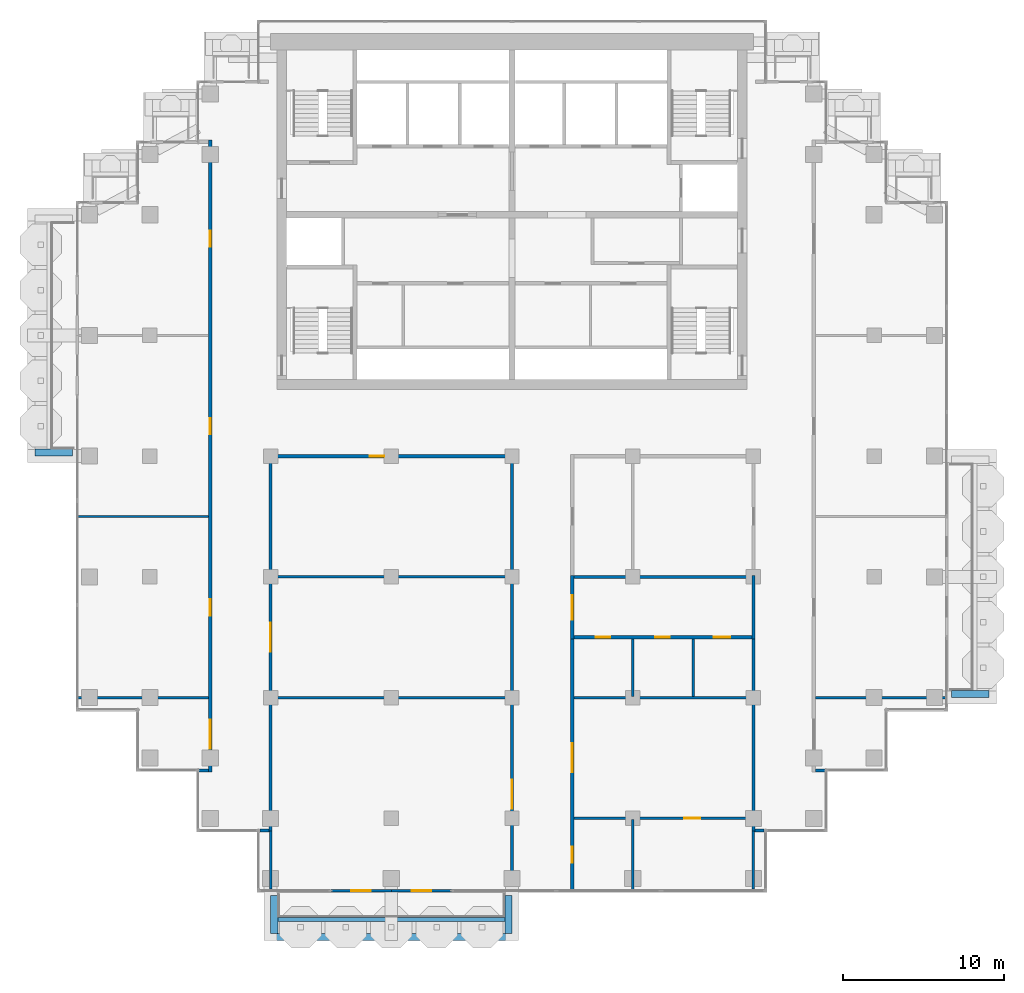
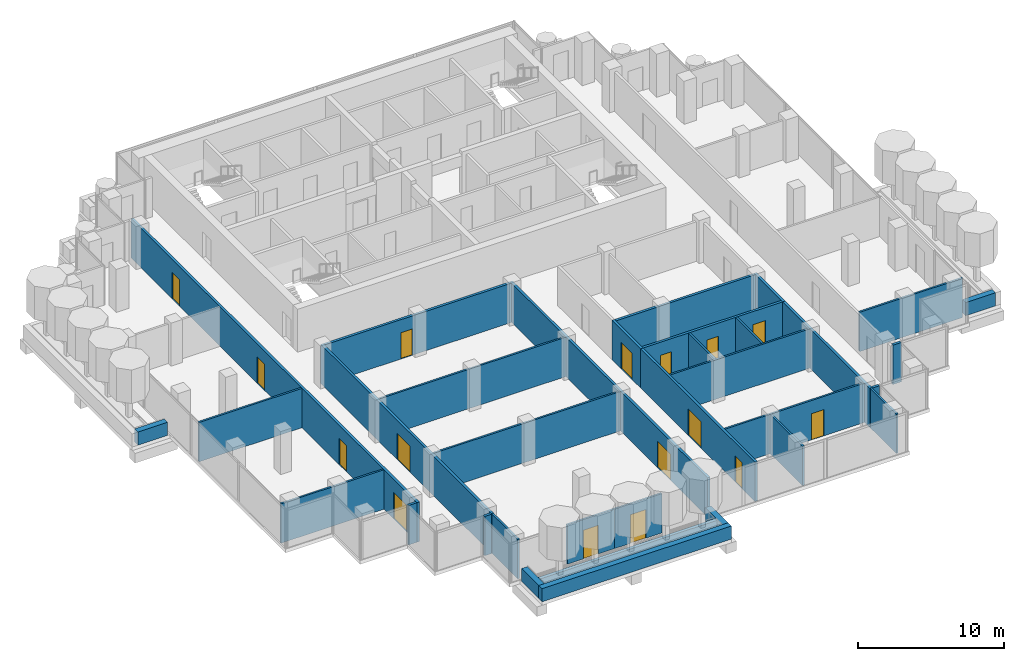
# One storey, part 11 of 18: 34 walls, 16 doors, 16 openings.
"""IFC4 building model written with IfcOpenShell, lengths in metres."""

from ifc_helpers import new_model, si_unit, direction, frame, frame_2d, origin, place, context, subcontext, project, spatial, rectangle, extrude, material, layer, layer_set, type_object, element, fill, save


model = new_model("IFC4")

# Units and contexts
model_context = context("Model", 3, precision=1e-05, world=origin(), true_north=direction((0.0, 1.0)))
body_context = subcontext(model_context, "Body", "Model", "MODEL_VIEW")
ifc_project = project(units=[si_unit("LENGTHUNIT", "METRE"), si_unit("AREAUNIT", "SQUARE_METRE"), si_unit("VOLUMEUNIT", "CUBIC_METRE"), si_unit("PLANEANGLEUNIT", "RADIAN"), si_unit("MASSUNIT", "GRAM", prefix="KILO")], contexts=[model_context])

# Site, building, storey
site_placement = place(None, origin())
site = spatial("IfcSite", under=ifc_project, at=site_placement, CompositionType="ELEMENT")
building_placement = place(site_placement, origin())
building = spatial("IfcBuilding", under=site, at=building_placement, Name="Pilkhan Gate Tower", CompositionType="ELEMENT")
storey_placement = place(building_placement, frame((0.0, 0.0, 221.10009765625)))
storey = spatial("IfcBuildingStorey", under=building, at=storey_placement, Name="L57", CompositionType="ELEMENT", Elevation=221.10009765625)

# Walls
ifc_material_1 = material(Name="Concrete C40/50", Category="concrete")
ifc_layer_1 = layer(ifc_material_1, 0.25)
ifc_layer_set_1 = layer_set([ifc_layer_1], Name="Balcony planter BP250")
wall_type_1 = type_object("IfcWallType", Name="Balcony planter BP250", PredefinedType="USERDEFINED", material=ifc_layer_set_1)
wall_1_placement = place(storey_placement, frame((60.449951171875, 38.72509765625, 0.0), z_axis=(0.0, 0.0, 1.0), x_axis=(1.0, 0.0, 0.0)))
element("IfcWall", 1, at=wall_1_placement, inside=storey, type_object=wall_type_1, Name="Balcony planter L57 S", ObjectType="BALCONY PLANTER", PredefinedType="USERDEFINED", context=body_context, shape_type="SweptSolid", body=[
    extrude(rectangle(XDim=14.10009765625, YDim=0.25, at=frame_2d((7.050048828125, 0.0))), origin(), (0.0, 0.0, 1.0), 1.0),
])
ifc_material_2 = material(Name="Board-marked Concrete C40/50", Category="concrete")
ifc_layer_2 = layer(ifc_material_2, 0.449951171875)
ifc_layer_set_2 = layer_set([ifc_layer_2], Name="Balcony planter lip BL450")
wall_type_2 = type_object("IfcWallType", Name="Balcony planter lip BL450", PredefinedType="USERDEFINED", material=ifc_layer_set_2)
wall_2_placement = place(storey_placement, frame((60.0, 37.625, 0.0), z_axis=(0.0, 0.0, 1.0), x_axis=(1.0, 0.0, 0.0)))
element("IfcWall", 2, at=wall_2_placement, inside=storey, type_object=wall_type_2, Name="Balcony planter L57 S", ObjectType="BALCONY PLANTER", PredefinedType="USERDEFINED", context=body_context, shape_type="SweptSolid", body=[
    extrude(rectangle(XDim=15.0, YDim=0.449951171875, at=frame_2d((7.5, 0.0))), origin(), (0.0, 0.0, 1.0), 1.099853515625),
])
for number, where, z_axis, x_axis, name in (
    (3, (60.22509765625, 40.199951171875, 0.0), (0.0, 0.0, 1.0), (0.0, -1.0, 0.0), "Balcony planter L57 S"),
    (4, (74.77490234375, 40.199951171875, 0.0), (0.0, 0.0, 1.0), (0.0, -1.0, 0.0), "Balcony planter L57 S"),
    (5, (102.300048828125, 52.72509765625, 0.0), (0.0, 0.0, 1.0), (1.0, 0.0, 0.0), "Balcony planter L57 E"),
    (6, (47.699951171875, 67.72509765625, 0.0), (0.0, 0.0, 1.0), (-1.0, 0.0, 0.0), "Balcony planter L57 W"),
):
    element("IfcWall", number, at=place(storey_placement, frame(where, z_axis=z_axis, x_axis=x_axis)), inside=storey, type_object=wall_type_2, Name=name, ObjectType="BALCONY PLANTER", PredefinedType="USERDEFINED", context=body_context, shape_type="SweptSolid", body=[
        extrude(rectangle(XDim=2.349853515625, YDim=0.449951171875, at=frame_2d((1.1748046875, 0.0))), origin(), (0.0, 0.0, 1.0), 1.099853515625),
    ])
ifc_material_3 = material(Name="Dense blockwork", Category="masonry")
ifc_layer_3 = layer(ifc_material_3, 0.199951171875)
ifc_layer_set_3 = layer_set([ifc_layer_3], Name="Corridor wall FW200")
wall_type_3 = type_object("IfcWallType", Name="Corridor wall FW200", PredefinedType="PARTITIONING", material=ifc_layer_set_3)
for number, where, z_axis, x_axis, name in (
    (7, (59.35498046875, 44.235107421875, 0.0), (0.0, 0.0, 1.0), (1.0, 0.0, 0.0), "Partition L57"),
    (8, (90.10009765625, 44.235107421875, 0.0), (0.0, 0.0, 1.0), (1.0, 0.0, 0.0), "Partition L57"),
):
    element("IfcWall", number, at=place(storey_placement, frame(where, z_axis=z_axis, x_axis=x_axis)), inside=storey, type_object=wall_type_3, Name=name, PredefinedType="PARTITIONING", context=body_context, shape_type="SweptSolid", body=[
        extrude(rectangle(XDim=0.544921875, YDim=0.199951171875, at=frame_2d((0.2724609375, 0.0))), origin(), (0.0, 0.0, 1.0), 3.2998046875),
    ])
for number, where, z_axis, x_axis, name in (
    (9, (55.485107421875, 47.969970703125, 0.0), (0.0, 0.0, 1.0), (1.0, 0.0, 0.0), "Partition L57"),
    (10, (93.85009765625, 47.969970703125, 0.0), (0.0, 0.0, 1.0), (1.0, 0.0, 0.0), "Partition L57"),
):
    element("IfcWall", number, at=place(storey_placement, frame(where, z_axis=z_axis, x_axis=x_axis)), inside=storey, type_object=wall_type_3, Name=name, PredefinedType="PARTITIONING", context=body_context, shape_type="SweptSolid", body=[
        extrude(rectangle(XDim=0.664794921875, YDim=0.199951171875, at=frame_2d((0.33251953125, 0.0))), origin(), (0.0, 0.0, 1.0), 3.2998046875),
    ])

# Wall, opening, door
wall_3_placement = place(storey_placement, frame((60.10009765625, 67.5, 0.0), z_axis=(0.0, 0.0, 1.0), x_axis=(1.0, 0.0, 0.0)))
wall_3 = element("IfcWall", 11, at=wall_3_placement, inside=storey, type_object=wall_type_3, Name="Partition L57", PredefinedType="PARTITIONING", context=body_context, shape_type="SweptSolid", body=[
    extrude(rectangle(XDim=14.7998046875, YDim=0.199951171875, at=frame_2d((7.39990234375, 0.0))), origin(), (0.0, 0.0, 1.0), 3.2998046875),
])
opening_1_placement = place(wall_3_placement, frame((6.050048828125, 0.0, 0.0)))
opening_1 = element("IfcOpeningElement", 12, at=opening_1_placement, cuts=wall_3, Name="Opening L57-19", PredefinedType="OPENING", context=body_context, shape_type="SweptSolid", body=[
    extrude(rectangle(XDim=0.89990234375, YDim=2.199951171875, at=frame_2d((0.449951171875, 1.10009765625))), frame((0.0, 0.10986328125, 0.0), z_axis=(0.0, -1.0, 0.0), x_axis=(1.0, 0.0, 0.0)), (0.0, 0.0, 1.0), 0.219970703125),
])
ifc_material_4 = material(Name="Timber flush door, 60 minute fire resisting, self-closing", Category="wood")
door_type_1 = type_object("IfcDoorType", Name="Store door D05 900x2200", OperationType="SINGLE_SWING_LEFT", PredefinedType="DOOR", material=ifc_material_4)
door_1_placement = place(opening_1_placement, origin())
door_1 = element("IfcDoor", 13, at=door_1_placement, inside=storey, type_object=door_type_1, Name="Store door", OperationType="SINGLE_SWING_LEFT", OverallHeight=2.199951171875, OverallWidth=0.89990234375, PredefinedType="DOOR", context=body_context, shape_type="SweptSolid", body=[
    extrude(rectangle(XDim=0.89990234375, YDim=2.199951171875, at=frame_2d((0.449951171875, 1.10009765625))), frame((0.0, 0.02490234375, 0.0), z_axis=(0.0, -1.0, 0.0), x_axis=(1.0, 0.0, 0.0)), (0.0, 0.0, 1.0), 0.050048828125),
])
fill(opening_1, door_1)

# Wall, openings, doors
wall_4_placement = place(storey_placement, frame((56.25, 47.8701171875, 0.0), z_axis=(0.0, 0.0, 1.0), x_axis=(0.0, 1.0, 0.0)))
wall_4 = element("IfcWall", 14, at=wall_4_placement, inside=storey, type_object=wall_type_3, Name="Partition L57", PredefinedType="PARTITIONING", context=body_context, shape_type="SweptSolid", body=[
    extrude(rectangle(XDim=39.259765625, YDim=0.199951171875, at=frame_2d((19.6298828125, 0.0))), origin(), (0.0, 0.0, 1.0), 3.2998046875),
])
opening_2_placement = place(wall_4_placement, frame((1.449951171875, 0.0, 0.0)))
opening_2 = element("IfcOpeningElement", 15, at=opening_2_placement, cuts=wall_4, Name="Opening L57-25", PredefinedType="OPENING", context=body_context, shape_type="SweptSolid", body=[
    extrude(rectangle(XDim=1.800048828125, YDim=2.199951171875, at=frame_2d((0.89990234375, 1.10009765625))), frame((0.0, 0.10986328125, 0.0), z_axis=(0.0, -1.0, 0.0), x_axis=(1.0, 0.0, 0.0)), (0.0, 0.0, 1.0), 0.219970703125),
])
opening_3_placement = place(wall_4_placement, frame((9.72998046875, 0.0, 0.0)))
opening_3 = element("IfcOpeningElement", 16, at=opening_3_placement, cuts=wall_4, Name="Opening L57-26", PredefinedType="OPENING", context=body_context, shape_type="SweptSolid", body=[
    extrude(rectangle(XDim=1.0, YDim=2.199951171875, at=frame_2d((0.5, 1.10009765625))), frame((0.0, 0.10986328125, 0.0), z_axis=(0.0, -1.0, 0.0), x_axis=(1.0, 0.0, 0.0)), (0.0, 0.0, 1.0), 0.219970703125),
])
opening_4_placement = place(wall_4_placement, frame((20.97998046875, 0.0, 0.0)))
opening_4 = element("IfcOpeningElement", 17, at=opening_4_placement, cuts=wall_4, Name="Opening L57-27", PredefinedType="OPENING", context=body_context, shape_type="SweptSolid", body=[
    extrude(rectangle(XDim=1.0, YDim=2.199951171875, at=frame_2d((0.5, 1.10009765625))), frame((0.0, 0.10986328125, 0.0), z_axis=(0.0, -1.0, 0.0), x_axis=(1.0, 0.0, 0.0)), (0.0, 0.0, 1.0), 0.219970703125),
])
opening_5_placement = place(wall_4_placement, frame((32.6298828125, 0.0, 0.0)))
opening_5 = element("IfcOpeningElement", 18, at=opening_5_placement, cuts=wall_4, Name="Opening L57-31", PredefinedType="OPENING", context=body_context, shape_type="SweptSolid", body=[
    extrude(rectangle(XDim=1.0, YDim=2.199951171875, at=frame_2d((0.5, 1.10009765625))), frame((0.0, 0.10986328125, 0.0), z_axis=(0.0, -1.0, 0.0), x_axis=(1.0, 0.0, 0.0)), (0.0, 0.0, 1.0), 0.219970703125),
])
ifc_material_5 = material(Name="Timber glazed double door, 30 minute fire resisting", Category="wood")
door_type_2 = type_object("IfcDoorType", Name="Double door D04 1800x2200", OperationType="DOUBLE_DOOR_SINGLE_SWING", PredefinedType="DOOR", material=ifc_material_5)
door_2_placement = place(opening_2_placement, origin())
door_2 = element("IfcDoor", 19, at=door_2_placement, inside=storey, type_object=door_type_2, Name="Double door", OperationType="DOUBLE_DOOR_SINGLE_SWING", OverallHeight=2.199951171875, OverallWidth=1.800048828125, PredefinedType="DOOR", context=body_context, shape_type="SweptSolid", body=[
    extrude(rectangle(XDim=1.800048828125, YDim=2.199951171875, at=frame_2d((0.89990234375, 1.10009765625))), frame((0.0, 0.02490234375, 0.0), z_axis=(0.0, -1.0, 0.0), x_axis=(1.0, 0.0, 0.0)), (0.0, 0.0, 1.0), 0.050048828125),
])
fill(opening_2, door_2)
ifc_material_6 = material(Name="Timber flush door, 30 minute fire resisting", Category="wood")
door_type_3 = type_object("IfcDoorType", Name="Room door D03 1000x2200", OperationType="SINGLE_SWING_LEFT", PredefinedType="DOOR", material=ifc_material_6)
door_3_placement = place(opening_3_placement, origin())
door_3 = element("IfcDoor", 20, at=door_3_placement, inside=storey, type_object=door_type_3, Name="Room door", OperationType="SINGLE_SWING_LEFT", OverallHeight=2.199951171875, OverallWidth=1.0, PredefinedType="DOOR", context=body_context, shape_type="SweptSolid", body=[
    extrude(rectangle(XDim=1.0, YDim=2.199951171875, at=frame_2d((0.5, 1.10009765625))), frame((0.0, 0.02490234375, 0.0), z_axis=(0.0, -1.0, 0.0), x_axis=(1.0, 0.0, 0.0)), (0.0, 0.0, 1.0), 0.050048828125),
])
fill(opening_3, door_3)
door_4_placement = place(opening_4_placement, origin())
door_4 = element("IfcDoor", 21, at=door_4_placement, inside=storey, type_object=door_type_3, Name="Room door", OperationType="SINGLE_SWING_RIGHT", OverallHeight=2.199951171875, OverallWidth=1.0, PredefinedType="DOOR", context=body_context, shape_type="SweptSolid", body=[
    extrude(rectangle(XDim=1.0, YDim=2.199951171875, at=frame_2d((0.5, 1.10009765625))), frame((0.0, 0.02490234375, 0.0), z_axis=(0.0, -1.0, 0.0), x_axis=(1.0, 0.0, 0.0)), (0.0, 0.0, 1.0), 0.050048828125),
])
fill(opening_4, door_4)
door_5_placement = place(opening_5_placement, origin())
door_5 = element("IfcDoor", 22, at=door_5_placement, inside=storey, type_object=door_type_3, Name="Room door", OperationType="SINGLE_SWING_LEFT", OverallHeight=2.199951171875, OverallWidth=1.0, PredefinedType="DOOR", context=body_context, shape_type="SweptSolid", body=[
    extrude(rectangle(XDim=1.0, YDim=2.199951171875, at=frame_2d((0.5, 1.10009765625))), frame((0.0, 0.02490234375, 0.0), z_axis=(0.0, -1.0, 0.0), x_axis=(1.0, 0.0, 0.0)), (0.0, 0.0, 1.0), 0.050048828125),
])
fill(opening_5, door_5)

# Wall, opening, door
wall_5_placement = place(storey_placement, frame((60.0, 44.135009765625, 0.0), z_axis=(0.0, 0.0, 1.0), x_axis=(0.0, 1.0, 0.0)))
wall_5 = element("IfcWall", 23, at=wall_5_placement, inside=storey, type_object=wall_type_3, Name="Partition L57", PredefinedType="PARTITIONING", context=body_context, shape_type="SweptSolid", body=[
    extrude(rectangle(XDim=23.465087890625, YDim=0.199951171875, at=frame_2d((11.732421875, 0.0))), origin(), (0.0, 0.0, 1.0), 3.2998046875),
])
opening_6_placement = place(wall_5_placement, frame((11.215087890625, 0.0, 0.0)))
opening_6 = element("IfcOpeningElement", 24, at=opening_6_placement, cuts=wall_5, Name="Opening L57-18", PredefinedType="OPENING", context=body_context, shape_type="SweptSolid", body=[
    extrude(rectangle(XDim=1.800048828125, YDim=2.199951171875, at=frame_2d((0.89990234375, 1.10009765625))), frame((0.0, 0.10986328125, 0.0), z_axis=(0.0, -1.0, 0.0), x_axis=(1.0, 0.0, 0.0)), (0.0, 0.0, 1.0), 0.219970703125),
])
door_6_placement = place(opening_6_placement, origin())
door_6 = element("IfcDoor", 25, at=door_6_placement, inside=storey, type_object=door_type_2, Name="Double door", OperationType="DOUBLE_DOOR_SINGLE_SWING", OverallHeight=2.199951171875, OverallWidth=1.800048828125, PredefinedType="DOOR", context=body_context, shape_type="SweptSolid", body=[
    extrude(rectangle(XDim=1.800048828125, YDim=2.199951171875, at=frame_2d((0.89990234375, 1.10009765625))), frame((0.0, 0.02490234375, 0.0), z_axis=(0.0, -1.0, 0.0), x_axis=(1.0, 0.0, 0.0)), (0.0, 0.0, 1.0), 0.050048828125),
])
fill(opening_6, door_6)

wall_6_placement = place(storey_placement, frame((75.0, 40.485107421875, 0.0), z_axis=(0.0, 0.0, 1.0), x_axis=(0.0, 1.0, 0.0)))
wall_6 = element("IfcWall", 26, at=wall_6_placement, inside=storey, type_object=wall_type_3, Name="Partition L57", PredefinedType="PARTITIONING", context=body_context, shape_type="SweptSolid", body=[
    extrude(rectangle(XDim=27.114990234375, YDim=0.199951171875, at=frame_2d((13.5576171875, 0.0))), origin(), (0.0, 0.0, 1.0), 3.2998046875),
])
opening_7_placement = place(wall_6_placement, frame((5.10009765625, 0.0, 0.0)))
opening_7 = element("IfcOpeningElement", 27, at=opening_7_placement, cuts=wall_6, Name="Opening L57-17", PredefinedType="OPENING", context=body_context, shape_type="SweptSolid", body=[
    extrude(rectangle(XDim=1.800048828125, YDim=2.199951171875, at=frame_2d((0.89990234375, 1.10009765625))), frame((0.0, 0.10986328125, 0.0), z_axis=(0.0, -1.0, 0.0), x_axis=(1.0, 0.0, 0.0)), (0.0, 0.0, 1.0), 0.219970703125),
])
door_7_placement = place(opening_7_placement, origin())
door_7 = element("IfcDoor", 28, at=door_7_placement, inside=storey, type_object=door_type_2, Name="Double door", OperationType="DOUBLE_DOOR_SINGLE_SWING", OverallHeight=2.199951171875, OverallWidth=1.800048828125, PredefinedType="DOOR", context=body_context, shape_type="SweptSolid", body=[
    extrude(rectangle(XDim=1.800048828125, YDim=2.199951171875, at=frame_2d((0.89990234375, 1.10009765625))), frame((0.0, 0.02490234375, 0.0), z_axis=(0.0, -1.0, 0.0), x_axis=(1.0, 0.0, 0.0)), (0.0, 0.0, 1.0), 0.050048828125),
])
fill(opening_7, door_7)

# Wall, openings, doors
wall_7_placement = place(storey_placement, frame((78.75, 40.485107421875, 0.0), z_axis=(0.0, 0.0, 1.0), x_axis=(0.0, 1.0, 0.0)))
wall_7 = element("IfcWall", 29, at=wall_7_placement, inside=storey, type_object=wall_type_3, Name="Partition L57", PredefinedType="PARTITIONING", context=body_context, shape_type="SweptSolid", body=[
    extrude(rectangle(XDim=15.764892578125, YDim=0.199951171875, at=frame_2d((7.88232421875, 0.0))), origin(), (0.0, 0.0, 1.0), 3.2998046875),
])
opening_8_placement = place(wall_7_placement, frame((1.75, 0.0, 0.0)))
opening_8 = element("IfcOpeningElement", 30, at=opening_8_placement, cuts=wall_7, Name="Opening L57-20", PredefinedType="OPENING", context=body_context, shape_type="SweptSolid", body=[
    extrude(rectangle(XDim=1.0, YDim=2.199951171875, at=frame_2d((0.5, 1.10009765625))), frame((0.0, 0.10986328125, 0.0), z_axis=(0.0, -1.0, 0.0), x_axis=(1.0, 0.0, 0.0)), (0.0, 0.0, 1.0), 0.219970703125),
])
opening_9_placement = place(wall_7_placement, frame((7.364990234375, 0.0, 0.0)))
opening_9 = element("IfcOpeningElement", 31, at=opening_9_placement, cuts=wall_7, Name="Opening L57-22", PredefinedType="OPENING", context=body_context, shape_type="SweptSolid", body=[
    extrude(rectangle(XDim=1.800048828125, YDim=2.199951171875, at=frame_2d((0.89990234375, 1.10009765625))), frame((0.0, 0.10986328125, 0.0), z_axis=(0.0, -1.0, 0.0), x_axis=(1.0, 0.0, 0.0)), (0.0, 0.0, 1.0), 0.219970703125),
])
door_8_placement = place(opening_9_placement, origin())
door_8 = element("IfcDoor", 32, at=door_8_placement, inside=storey, type_object=door_type_2, Name="Double door", OperationType="DOUBLE_DOOR_SINGLE_SWING", OverallHeight=2.199951171875, OverallWidth=1.800048828125, PredefinedType="DOOR", context=body_context, shape_type="SweptSolid", body=[
    extrude(rectangle(XDim=1.800048828125, YDim=2.199951171875, at=frame_2d((0.89990234375, 1.10009765625))), frame((0.0, 0.02490234375, 0.0), z_axis=(0.0, -1.0, 0.0), x_axis=(1.0, 0.0, 0.0)), (0.0, 0.0, 1.0), 0.050048828125),
])
fill(opening_9, door_8)
door_9_placement = place(opening_8_placement, origin())
door_9 = element("IfcDoor", 33, at=door_9_placement, inside=storey, type_object=door_type_3, Name="Room door", OperationType="SINGLE_SWING_LEFT", OverallHeight=2.199951171875, OverallWidth=1.0, PredefinedType="DOOR", context=body_context, shape_type="SweptSolid", body=[
    extrude(rectangle(XDim=1.0, YDim=2.199951171875, at=frame_2d((0.5, 1.10009765625))), frame((0.0, 0.02490234375, 0.0), z_axis=(0.0, -1.0, 0.0), x_axis=(1.0, 0.0, 0.0)), (0.0, 0.0, 1.0), 0.050048828125),
])
fill(opening_8, door_9)

# Wall
wall_8_placement = place(storey_placement, frame((90.0, 44.135009765625, 0.0), z_axis=(0.0, 0.0, 1.0), x_axis=(0.0, 1.0, 0.0)))
element("IfcWall", 34, at=wall_8_placement, inside=storey, type_object=wall_type_3, Name="Partition L57", PredefinedType="PARTITIONING", context=body_context, shape_type="SweptSolid", body=[
    extrude(rectangle(XDim=12.114990234375, YDim=0.199951171875, at=frame_2d((6.0576171875, 0.0))), origin(), (0.0, 0.0, 1.0), 3.2998046875),
])

# Wall, opening, door
ifc_material_7 = material(Name="Pale anodised aluminium, clear laminated glazing", Category="aluminium")
ifc_layer_4 = layer(ifc_material_7, 0.14990234375)
ifc_layer_set_4 = layer_set([ifc_layer_4], Name="Facade infill wall IW150")
wall_type_4 = type_object("IfcWallType", Name="Facade infill wall IW150", PredefinedType="SOLIDWALL", material=ifc_layer_set_4)
wall_9_placement = place(storey_placement, frame((63.75, 40.5, 0.0), z_axis=(0.0, 0.0, 1.0), x_axis=(1.0, 0.0, 0.0)))
wall_9 = element("IfcWall", 35, at=wall_9_placement, inside=storey, type_object=wall_type_4, Name="Infill wall L57 S", PredefinedType="SOLIDWALL", context=body_context, shape_type="SweptSolid", body=[
    extrude(rectangle(XDim=3.75, YDim=0.14990234375, at=frame_2d((1.875, 0.0))), origin(), (0.0, 0.0, 1.0), 3.2998046875),
])
opening_10_placement = place(wall_9_placement, frame((1.27490234375, 0.0, 0.0)))
opening_10 = element("IfcOpeningElement", 36, at=opening_10_placement, cuts=wall_9, Name="Opening D1", PredefinedType="OPENING", context=body_context, shape_type="SweptSolid", body=[
    extrude(rectangle(XDim=1.199951171875, YDim=2.39990234375, at=frame_2d((0.60009765625, 1.199951171875))), frame((0.0, 0.0849609375, 0.0), z_axis=(0.0, -1.0, 0.0), x_axis=(1.0, 0.0, 0.0)), (0.0, 0.0, 1.0), 0.169921875),
])
ifc_material_8 = material(Name="Pale anodised aluminium, clear glazing", Category="aluminium")
door_type_4 = type_object("IfcDoorType", Name="Balcony door D1 1200x2400", OperationType="SINGLE_SWING_LEFT", PredefinedType="DOOR", material=ifc_material_8)
door_10_placement = place(opening_10_placement, origin())
door_10 = element("IfcDoor", 37, at=door_10_placement, inside=storey, type_object=door_type_4, Name="Balcony door L57", OperationType="SINGLE_SWING_LEFT", OverallHeight=2.39990234375, OverallWidth=1.199951171875, PredefinedType="DOOR", context=body_context, shape_type="SweptSolid", body=[
    extrude(rectangle(XDim=1.199951171875, YDim=2.39990234375, at=frame_2d((0.60009765625, 1.199951171875))), frame((0.0, 0.02490234375, 0.0), z_axis=(0.0, -1.0, 0.0), x_axis=(1.0, 0.0, 0.0)), (0.0, 0.0, 1.0), 0.050048828125),
])
fill(opening_10, door_10)

wall_10_placement = place(storey_placement, frame((67.5, 40.5, 0.0), z_axis=(0.0, 0.0, 1.0), x_axis=(1.0, 0.0, 0.0)))
wall_10 = element("IfcWall", 38, at=wall_10_placement, inside=storey, type_object=wall_type_4, Name="Infill wall L57 S", PredefinedType="SOLIDWALL", context=body_context, shape_type="SweptSolid", body=[
    extrude(rectangle(XDim=3.75, YDim=0.14990234375, at=frame_2d((1.875, 0.0))), origin(), (0.0, 0.0, 1.0), 3.2998046875),
])
opening_11_placement = place(wall_10_placement, frame((1.27490234375, 0.0, 0.0)))
opening_11 = element("IfcOpeningElement", 39, at=opening_11_placement, cuts=wall_10, Name="Opening D1", PredefinedType="OPENING", context=body_context, shape_type="SweptSolid", body=[
    extrude(rectangle(XDim=1.199951171875, YDim=2.39990234375, at=frame_2d((0.60009765625, 1.199951171875))), frame((0.0, 0.0849609375, 0.0), z_axis=(0.0, -1.0, 0.0), x_axis=(1.0, 0.0, 0.0)), (0.0, 0.0, 1.0), 0.169921875),
])
door_11_placement = place(opening_11_placement, origin())
door_11 = element("IfcDoor", 40, at=door_11_placement, inside=storey, type_object=door_type_4, Name="Balcony door L57", OperationType="SINGLE_SWING_LEFT", OverallHeight=2.39990234375, OverallWidth=1.199951171875, PredefinedType="DOOR", context=body_context, shape_type="SweptSolid", body=[
    extrude(rectangle(XDim=1.199951171875, YDim=2.39990234375, at=frame_2d((0.60009765625, 1.199951171875))), frame((0.0, 0.02490234375, 0.0), z_axis=(0.0, -1.0, 0.0), x_axis=(1.0, 0.0, 0.0)), (0.0, 0.0, 1.0), 0.050048828125),
])
fill(opening_11, door_11)

# Wall, openings, doors
ifc_layer_5 = layer(ifc_material_3, 0.199951171875)
ifc_layer_set_5 = layer_set([ifc_layer_5], Name="Lobby wall LW200")
wall_type_5 = type_object("IfcWallType", Name="Lobby wall LW200", PredefinedType="PARTITIONING", material=ifc_layer_set_5)
wall_11_placement = place(storey_placement, frame((78.85009765625, 56.25, 0.0), z_axis=(0.0, 0.0, 1.0), x_axis=(1.0, 0.0, 0.0)))
wall_11 = element("IfcWall", 41, at=wall_11_placement, inside=storey, type_object=wall_type_5, Name="Partition L57", PredefinedType="PARTITIONING", context=body_context, shape_type="SweptSolid", body=[
    extrude(rectangle(XDim=11.0498046875, YDim=0.199951171875, at=frame_2d((5.52490234375, 0.0))), origin(), (0.0, 0.0, 1.0), 3.2998046875),
])
opening_12_placement = place(wall_11_placement, frame((1.35009765625, 0.0, 0.0)))
opening_12 = element("IfcOpeningElement", 42, at=opening_12_placement, cuts=wall_11, Name="Opening L57-14", PredefinedType="OPENING", context=body_context, shape_type="SweptSolid", body=[
    extrude(rectangle(XDim=0.89990234375, YDim=2.199951171875, at=frame_2d((0.449951171875, 1.10009765625))), frame((0.0, 0.10986328125, 0.0), z_axis=(0.0, -1.0, 0.0), x_axis=(1.0, 0.0, 0.0)), (0.0, 0.0, 1.0), 0.219970703125),
])
opening_13_placement = place(wall_11_placement, frame((5.050048828125, 0.0, 0.0)))
opening_13 = element("IfcOpeningElement", 43, at=opening_13_placement, cuts=wall_11, Name="Opening L57-15", PredefinedType="OPENING", context=body_context, shape_type="SweptSolid", body=[
    extrude(rectangle(XDim=0.89990234375, YDim=2.199951171875, at=frame_2d((0.449951171875, 1.10009765625))), frame((0.0, 0.10986328125, 0.0), z_axis=(0.0, -1.0, 0.0), x_axis=(1.0, 0.0, 0.0)), (0.0, 0.0, 1.0), 0.219970703125),
])
opening_14_placement = place(wall_11_placement, frame((8.699951171875, 0.0, 0.0)))
opening_14 = element("IfcOpeningElement", 44, at=opening_14_placement, cuts=wall_11, Name="Opening L57-16", PredefinedType="OPENING", context=body_context, shape_type="SweptSolid", body=[
    extrude(rectangle(XDim=1.0, YDim=2.199951171875, at=frame_2d((0.5, 1.10009765625))), frame((0.0, 0.10986328125, 0.0), z_axis=(0.0, -1.0, 0.0), x_axis=(1.0, 0.0, 0.0)), (0.0, 0.0, 1.0), 0.219970703125),
])
ifc_material_9 = material(Name="Timber flush door, outward opening, 30 minute fire resisting", Category="wood")
door_type_5 = type_object("IfcDoorType", Name="Accessible toilet door D07 1000x2200", OperationType="SINGLE_SWING_LEFT", PredefinedType="DOOR", material=ifc_material_9)
door_12_placement = place(opening_14_placement, origin())
door_12 = element("IfcDoor", 45, at=door_12_placement, inside=storey, type_object=door_type_5, Name="Accessible toilet door", OperationType="SINGLE_SWING_RIGHT", OverallHeight=2.199951171875, OverallWidth=1.0, PredefinedType="DOOR", context=body_context, shape_type="SweptSolid", body=[
    extrude(rectangle(XDim=1.0, YDim=2.199951171875, at=frame_2d((0.5, 1.10009765625))), frame((0.0, 0.02490234375, 0.0), z_axis=(0.0, -1.0, 0.0), x_axis=(1.0, 0.0, 0.0)), (0.0, 0.0, 1.0), 0.050048828125),
])
fill(opening_14, door_12)
door_type_6 = type_object("IfcDoorType", Name="Toilet door D06 900x2200", OperationType="SINGLE_SWING_LEFT", PredefinedType="DOOR", material=ifc_material_6)
door_13_placement = place(opening_12_placement, origin())
door_13 = element("IfcDoor", 46, at=door_13_placement, inside=storey, type_object=door_type_6, Name="Toilet door", OperationType="SINGLE_SWING_LEFT", OverallHeight=2.199951171875, OverallWidth=0.89990234375, PredefinedType="DOOR", context=body_context, shape_type="SweptSolid", body=[
    extrude(rectangle(XDim=0.89990234375, YDim=2.199951171875, at=frame_2d((0.449951171875, 1.10009765625))), frame((0.0, 0.02490234375, 0.0), z_axis=(0.0, -1.0, 0.0), x_axis=(1.0, 0.0, 0.0)), (0.0, 0.0, 1.0), 0.050048828125),
])
fill(opening_12, door_13)
door_14_placement = place(opening_13_placement, origin())
door_14 = element("IfcDoor", 47, at=door_14_placement, inside=storey, type_object=door_type_6, Name="Toilet door", OperationType="SINGLE_SWING_LEFT", OverallHeight=2.199951171875, OverallWidth=0.89990234375, PredefinedType="DOOR", context=body_context, shape_type="SweptSolid", body=[
    extrude(rectangle(XDim=0.89990234375, YDim=2.199951171875, at=frame_2d((0.449951171875, 1.10009765625))), frame((0.0, 0.02490234375, 0.0), z_axis=(0.0, -1.0, 0.0), x_axis=(1.0, 0.0, 0.0)), (0.0, 0.0, 1.0), 0.050048828125),
])
fill(opening_13, door_14)

# Wall
wall_12_placement = place(storey_placement, frame((78.85009765625, 60.0, 0.0), z_axis=(0.0, 0.0, 1.0), x_axis=(1.0, 0.0, 0.0)))
element("IfcWall", 48, at=wall_12_placement, inside=storey, type_object=wall_type_5, Name="Partition L57", PredefinedType="PARTITIONING", context=body_context, shape_type="SweptSolid", body=[
    extrude(rectangle(XDim=11.0498046875, YDim=0.199951171875, at=frame_2d((5.52490234375, 0.0))), origin(), (0.0, 0.0, 1.0), 3.2998046875),
])

# Wall, opening, door
wall_13_placement = place(storey_placement, frame((78.75, 56.14990234375, 0.0), z_axis=(0.0, 0.0, 1.0), x_axis=(0.0, 1.0, 0.0)))
wall_13 = element("IfcWall", 49, at=wall_13_placement, inside=storey, type_object=wall_type_5, Name="Partition L57", PredefinedType="PARTITIONING", context=body_context, shape_type="SweptSolid", body=[
    extrude(rectangle(XDim=3.9501953125, YDim=0.199951171875, at=frame_2d((1.97509765625, 0.0))), origin(), (0.0, 0.0, 1.0), 3.2998046875),
])
opening_15_placement = place(wall_13_placement, frame((1.199951171875, 0.0, 0.0)))
opening_15 = element("IfcOpeningElement", 50, at=opening_15_placement, cuts=wall_13, Name="Opening L57-13", PredefinedType="OPENING", context=body_context, shape_type="SweptSolid", body=[
    extrude(rectangle(XDim=1.5, YDim=2.199951171875, at=frame_2d((0.75, 1.10009765625))), frame((0.0, 0.10986328125, 0.0), z_axis=(0.0, -1.0, 0.0), x_axis=(1.0, 0.0, 0.0)), (0.0, 0.0, 1.0), 0.219970703125),
])
ifc_material_10 = material(Name="Steel framed glazed door, 60 minute fire resisting", Category="steel")
door_type_7 = type_object("IfcDoorType", Name="Lobby door D09 1500x2200", OperationType="DOUBLE_DOOR_SINGLE_SWING", PredefinedType="DOOR", material=ifc_material_10)
door_15_placement = place(opening_15_placement, origin())
door_15 = element("IfcDoor", 51, at=door_15_placement, inside=storey, type_object=door_type_7, Name="Lobby door", OperationType="DOUBLE_DOOR_SINGLE_SWING", OverallHeight=2.199951171875, OverallWidth=1.5, PredefinedType="DOOR", context=body_context, shape_type="SweptSolid", body=[
    extrude(rectangle(XDim=1.5, YDim=2.199951171875, at=frame_2d((0.75, 1.10009765625))), frame((0.0, 0.02490234375, 0.0), z_axis=(0.0, -1.0, 0.0), x_axis=(1.0, 0.0, 0.0)), (0.0, 0.0, 1.0), 0.050048828125),
])
fill(opening_15, door_15)

# Wall
wall_14_placement = place(storey_placement, frame((90.0, 56.14990234375, 0.0), z_axis=(0.0, 0.0, 1.0), x_axis=(0.0, 1.0, 0.0)))
element("IfcWall", 52, at=wall_14_placement, inside=storey, type_object=wall_type_5, Name="Partition L57", PredefinedType="PARTITIONING", context=body_context, shape_type="SweptSolid", body=[
    extrude(rectangle(XDim=3.9501953125, YDim=0.199951171875, at=frame_2d((1.97509765625, 0.0))), origin(), (0.0, 0.0, 1.0), 3.2998046875),
])

# Wall, opening, door
ifc_material_11 = material(Name="Blockwork partition, plastered both sides", Category="masonry")
ifc_layer_6 = layer(ifc_material_11, 0.14990234375)
ifc_layer_set_6 = layer_set([ifc_layer_6], Name="Partition PW150")
wall_type_6 = type_object("IfcWallType", Name="Partition PW150", PredefinedType="PARTITIONING", material=ifc_layer_set_6)
wall_15_placement = place(storey_placement, frame((78.85009765625, 45.0, 0.0), z_axis=(0.0, 0.0, 1.0), x_axis=(1.0, 0.0, 0.0)))
wall_15 = element("IfcWall", 53, at=wall_15_placement, inside=storey, type_object=wall_type_6, Name="Partition L57", PredefinedType="PARTITIONING", context=body_context, shape_type="SweptSolid", body=[
    extrude(rectangle(XDim=11.0498046875, YDim=0.14990234375, at=frame_2d((5.52490234375, 0.0))), origin(), (0.0, 0.0, 1.0), 3.2998046875),
])
opening_16_placement = place(wall_15_placement, frame((6.85009765625, 0.0, 0.0)))
opening_16 = element("IfcOpeningElement", 54, at=opening_16_placement, cuts=wall_15, Name="Opening L57-21", PredefinedType="OPENING", context=body_context, shape_type="SweptSolid", body=[
    extrude(rectangle(XDim=1.0, YDim=2.199951171875, at=frame_2d((0.5, 1.10009765625))), frame((0.0, 0.0849609375, 0.0), z_axis=(0.0, -1.0, 0.0), x_axis=(1.0, 0.0, 0.0)), (0.0, 0.0, 1.0), 0.169921875),
])
door_16_placement = place(opening_16_placement, origin())
door_16 = element("IfcDoor", 55, at=door_16_placement, inside=storey, type_object=door_type_3, Name="Room door", OperationType="SINGLE_SWING_RIGHT", OverallHeight=2.199951171875, OverallWidth=1.0, PredefinedType="DOOR", context=body_context, shape_type="SweptSolid", body=[
    extrude(rectangle(XDim=1.0, YDim=2.199951171875, at=frame_2d((0.5, 1.10009765625))), frame((0.0, 0.02490234375, 0.0), z_axis=(0.0, -1.0, 0.0), x_axis=(1.0, 0.0, 0.0)), (0.0, 0.0, 1.0), 0.050048828125),
])
fill(opening_16, door_16)

# Walls
wall_16_placement = place(storey_placement, frame((47.985107421875, 52.5, 0.0), z_axis=(0.0, 0.0, 1.0), x_axis=(1.0, 0.0, 0.0)))
element("IfcWall", 56, at=wall_16_placement, inside=storey, type_object=wall_type_6, Name="Partition L57", PredefinedType="PARTITIONING", context=body_context, shape_type="SweptSolid", body=[
    extrude(rectangle(XDim=8.164794921875, YDim=0.14990234375, at=frame_2d((4.08251953125, 0.0))), origin(), (0.0, 0.0, 1.0), 3.2998046875),
])
wall_17_placement = place(storey_placement, frame((60.10009765625, 52.5, 0.0), z_axis=(0.0, 0.0, 1.0), x_axis=(1.0, 0.0, 0.0)))
element("IfcWall", 57, at=wall_17_placement, inside=storey, type_object=wall_type_6, Name="Partition L57", PredefinedType="PARTITIONING", context=body_context, shape_type="SweptSolid", body=[
    extrude(rectangle(XDim=14.7998046875, YDim=0.14990234375, at=frame_2d((7.39990234375, 0.0))), origin(), (0.0, 0.0, 1.0), 3.2998046875),
])
wall_18_placement = place(storey_placement, frame((78.85009765625, 52.5, 0.0), z_axis=(0.0, 0.0, 1.0), x_axis=(1.0, 0.0, 0.0)))
element("IfcWall", 58, at=wall_18_placement, inside=storey, type_object=wall_type_6, Name="Partition L57", PredefinedType="PARTITIONING", context=body_context, shape_type="SweptSolid", body=[
    extrude(rectangle(XDim=11.0498046875, YDim=0.14990234375, at=frame_2d((5.52490234375, 0.0))), origin(), (0.0, 0.0, 1.0), 3.2998046875),
])
wall_19_placement = place(storey_placement, frame((93.85009765625, 52.5, 0.0), z_axis=(0.0, 0.0, 1.0), x_axis=(1.0, 0.0, 0.0)))
element("IfcWall", 59, at=wall_19_placement, inside=storey, type_object=wall_type_6, Name="Partition L57", PredefinedType="PARTITIONING", context=body_context, shape_type="SweptSolid", body=[
    extrude(rectangle(XDim=8.164794921875, YDim=0.14990234375, at=frame_2d((4.08251953125, 0.0))), origin(), (0.0, 0.0, 1.0), 3.2998046875),
])
wall_20_placement = place(storey_placement, frame((60.10009765625, 60.0, 0.0), z_axis=(0.0, 0.0, 1.0), x_axis=(1.0, 0.0, 0.0)))
element("IfcWall", 60, at=wall_20_placement, inside=storey, type_object=wall_type_6, Name="Partition L57", PredefinedType="PARTITIONING", context=body_context, shape_type="SweptSolid", body=[
    extrude(rectangle(XDim=14.7998046875, YDim=0.14990234375, at=frame_2d((7.39990234375, 0.0))), origin(), (0.0, 0.0, 1.0), 3.2998046875),
])
wall_21_placement = place(storey_placement, frame((47.985107421875, 63.75, 0.0), z_axis=(0.0, 0.0, 1.0), x_axis=(1.0, 0.0, 0.0)))
element("IfcWall", 61, at=wall_21_placement, inside=storey, type_object=wall_type_6, Name="Partition L57", PredefinedType="PARTITIONING", context=body_context, shape_type="SweptSolid", body=[
    extrude(rectangle(XDim=8.164794921875, YDim=0.14990234375, at=frame_2d((4.08251953125, 0.0))), origin(), (0.0, 0.0, 1.0), 3.2998046875),
])
wall_22_placement = place(storey_placement, frame((60.0, 40.60498046875, 0.0), z_axis=(0.0, 0.0, 1.0), x_axis=(0.0, 1.0, 0.0)))
element("IfcWall", 62, at=wall_22_placement, inside=storey, type_object=wall_type_6, Name="Partition L57", PredefinedType="PARTITIONING", context=body_context, shape_type="SweptSolid", body=[
    extrude(rectangle(XDim=3.60009765625, YDim=0.14990234375, at=frame_2d((1.800048828125, 0.0))), origin(), (0.0, 0.0, 1.0), 3.2998046875),
])
wall_23_placement = place(storey_placement, frame((82.5, 40.485107421875, 0.0), z_axis=(0.0, 0.0, 1.0), x_axis=(0.0, 1.0, 0.0)))
element("IfcWall", 63, at=wall_23_placement, inside=storey, type_object=wall_type_6, Name="Partition L57", PredefinedType="PARTITIONING", context=body_context, shape_type="SweptSolid", body=[
    extrude(rectangle(XDim=4.43994140625, YDim=0.14990234375, at=frame_2d((2.219970703125, 0.0))), origin(), (0.0, 0.0, 1.0), 3.2998046875),
])
for number, where, z_axis, x_axis, name in (
    (64, (82.5, 52.574951171875, 0.0), (0.0, 0.0, 1.0), (0.0, 1.0, 0.0), "Partition L57"),
    (65, (86.25, 52.574951171875, 0.0), (0.0, 0.0, 1.0), (0.0, 1.0, 0.0), "Partition L57"),
):
    element("IfcWall", number, at=place(storey_placement, frame(where, z_axis=z_axis, x_axis=x_axis)), inside=storey, type_object=wall_type_6, Name=name, PredefinedType="PARTITIONING", context=body_context, shape_type="SweptSolid", body=[
        extrude(rectangle(XDim=3.574951171875, YDim=0.14990234375, at=frame_2d((1.78759765625, 0.0))), origin(), (0.0, 0.0, 1.0), 3.2998046875),
    ])
wall_24_placement = place(storey_placement, frame((90.0, 40.60498046875, 0.0), z_axis=(0.0, 0.0, 1.0), x_axis=(0.0, 1.0, 0.0)))
element("IfcWall", 66, at=wall_24_placement, inside=storey, type_object=wall_type_6, Name="Partition L57", PredefinedType="PARTITIONING", context=body_context, shape_type="SweptSolid", body=[
    extrude(rectangle(XDim=3.60009765625, YDim=0.14990234375, at=frame_2d((1.800048828125, 0.0))), origin(), (0.0, 0.0, 1.0), 3.2998046875),
])

save(model, "model.ifc")
